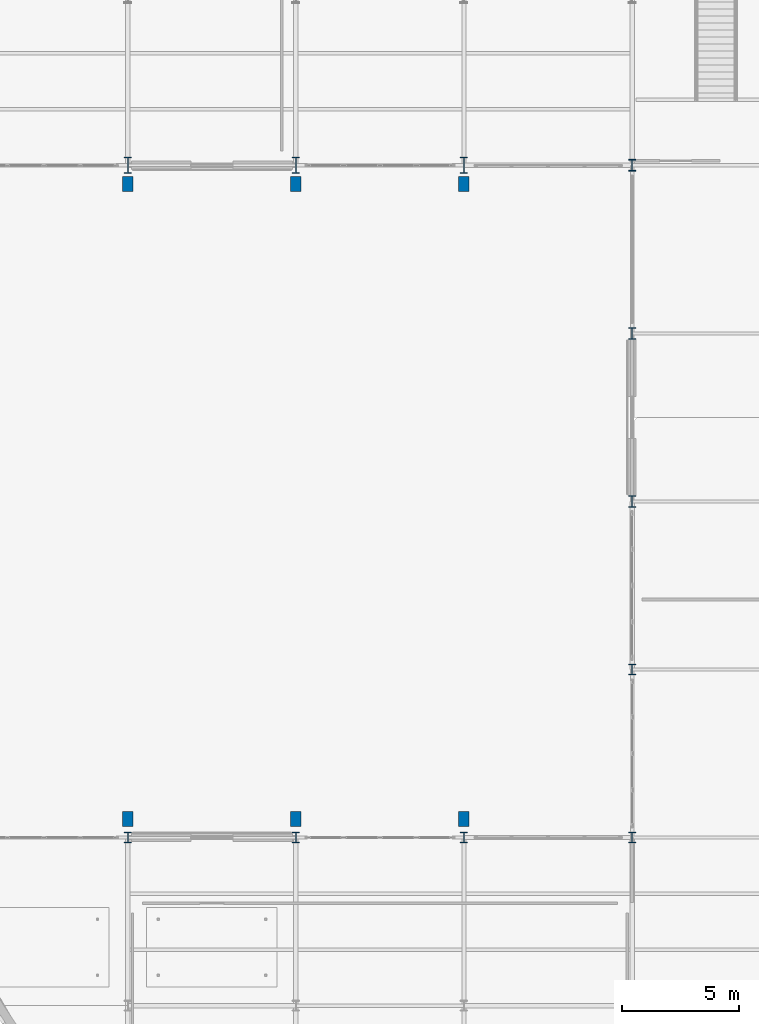
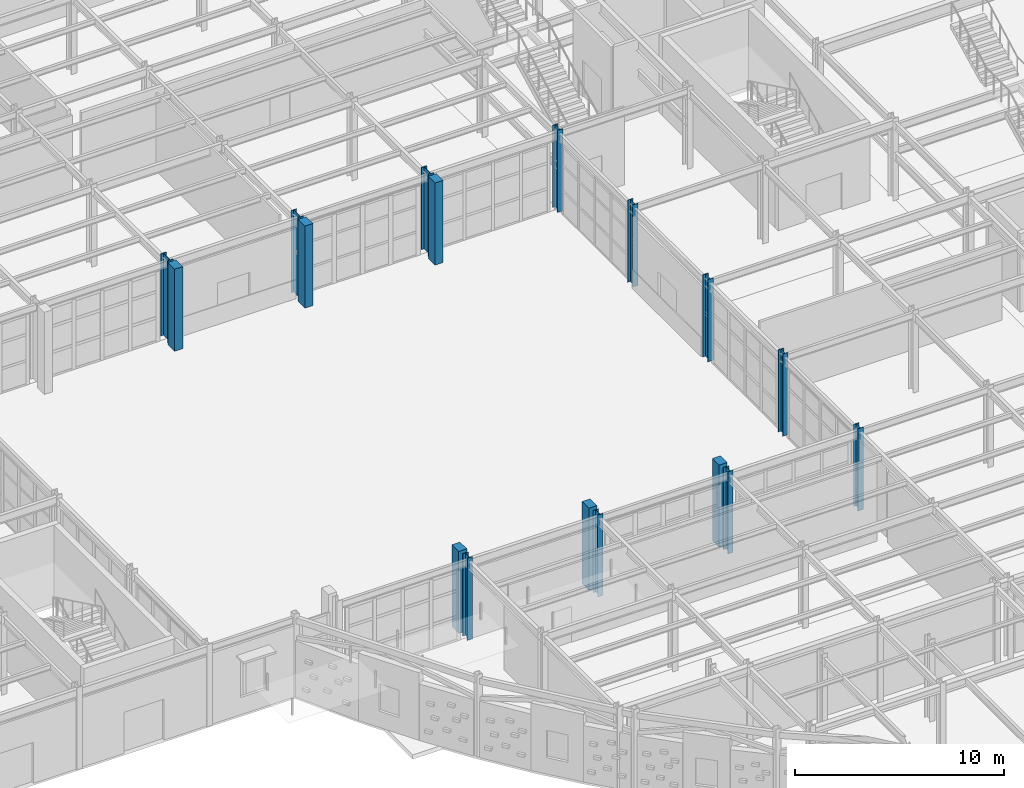
# One storey, part 3 of 83: 17 columns.
"""IFC4 building model written with IfcOpenShell, lengths in metres."""

from ifc_helpers import new_model, si_unit, direction, frame, origin, origin_2d, place, context, subcontext, project, spatial, rectangle, i_section, extrude, material, material_profile, profile_set, type_object, element, save


model = new_model("IFC4")

# Units and contexts
model_context = context("Model", 3, precision=1e-05, world=origin(), true_north=direction((0.0, 1.0)))
body_context = subcontext(model_context, "Body", "Model", "MODEL_VIEW")
ifc_project = project(units=[si_unit("LENGTHUNIT", "METRE"), si_unit("AREAUNIT", "SQUARE_METRE"), si_unit("VOLUMEUNIT", "CUBIC_METRE"), si_unit("PLANEANGLEUNIT", "RADIAN"), si_unit("MASSUNIT", "GRAM", prefix="KILO")], contexts=[model_context])

# Site, building, storey
site_placement = place(None, origin())
site = spatial("IfcSite", under=ifc_project, at=site_placement, CompositionType="ELEMENT")
building_placement = place(site_placement, origin())
building = spatial("IfcBuilding", under=site, at=building_placement, Name="Solvadek Multi-Sports Hall", CompositionType="ELEMENT")
storey_placement = place(building_placement, origin())
storey = spatial("IfcBuildingStorey", under=building, at=storey_placement, Name="L00", CompositionType="ELEMENT", Elevation=0.0)

# Columns
ifc_material_1 = material(Name="Steel E350 (350 MPa)", Category="steel")
ifc_material_profile_1 = material_profile(ifc_material_1, i_section(OverallWidth=0.300048828125, OverallDepth=0.449951171875, WebThickness=0.013916015625, FlangeThickness=0.02587890625, at=origin_2d()), Name="WPB 450")
ifc_profile_set_1 = profile_set([ifc_material_profile_1], Name="Steel E350 (350 MPa)")
column_type_1 = type_object("IfcColumnType", Name="STR-COL-WPB450", PredefinedType="COLUMN", material=ifc_profile_set_1)
for number, where, z_axis, x_axis, name in (
    (1, (36.0, 20.39990234375, 0.0), (0.0, 0.0, 1.0), (1.0, 0.0, 0.0), "L00 Column C-06 #68"),
    (2, (43.199951171875, 20.39990234375, 0.0), (0.0, 0.0, 1.0), (1.0, 0.0, 0.0), "L00 Column C-06 #84"),
    (3, (50.39990234375, 20.39990234375, 0.0), (0.0, 0.0, 1.0), (1.0, 0.0, 0.0), "L00 Column C-06 #100"),
    (4, (57.60009765625, 20.39990234375, 0.0), (0.0, 0.0, 1.0), (1.0, 0.0, 0.0), "L00 Column C-06 #116"),
    (5, (57.60009765625, 27.60009765625, 0.0), (0.0, 0.0, 1.0), (1.0, 0.0, 0.0), "L00 Column C-06 #117"),
):
    element("IfcColumn", number, at=place(storey_placement, frame(where, z_axis=z_axis, x_axis=x_axis)), inside=storey, type_object=column_type_1, Name=name, PredefinedType="COLUMN", context=body_context, shape_type="SweptSolid", body=[
        extrude(i_section(OverallWidth=0.300048828125, OverallDepth=0.449951171875, WebThickness=0.013916015625, FlangeThickness=0.02587890625, at=origin_2d()), origin(), (0.0, 0.0, 1.0), 4.800048828125),
    ])
ifc_material_profile_2 = material_profile(ifc_material_1, i_section(OverallWidth=0.300048828125, OverallDepth=0.5, WebThickness=0.014404296875, FlangeThickness=0.028076171875, at=origin_2d()), Name="WPB 500")
ifc_profile_set_2 = profile_set([ifc_material_profile_2], Name="Steel E350 (350 MPa)")
column_type_2 = type_object("IfcColumnType", Name="STR-COL-WPB500", PredefinedType="COLUMN", material=ifc_profile_set_2)
for number, where, z_axis, x_axis, name in (
    (6, (57.60009765625, 34.800048828125, 0.0), (0.0, 0.0, 1.0), (1.0, 0.0, 0.0), "L00 Column C-05 #118"),
    (7, (57.60009765625, 42.0, 0.0), (0.0, 0.0, 1.0), (1.0, 0.0, 0.0), "L00 Column C-05 #119"),
    (8, (57.60009765625, 49.199951171875, 0.0), (0.0, 0.0, 1.0), (1.0, 0.0, 0.0), "L00 Column C-05 #120"),
):
    element("IfcColumn", number, at=place(storey_placement, frame(where, z_axis=z_axis, x_axis=x_axis)), inside=storey, type_object=column_type_2, Name=name, PredefinedType="COLUMN", context=body_context, shape_type="SweptSolid", body=[
        extrude(i_section(OverallWidth=0.300048828125, OverallDepth=0.5, WebThickness=0.014404296875, FlangeThickness=0.028076171875, at=origin_2d()), origin(), (0.0, 0.0, 1.0), 4.800048828125),
    ])
ifc_material_profile_3 = material_profile(ifc_material_1, i_section(OverallWidth=0.300048828125, OverallDepth=0.699951171875, WebThickness=0.01708984375, FlangeThickness=0.031982421875, at=origin_2d()), Name="WPB 700")
ifc_profile_set_3 = profile_set([ifc_material_profile_3], Name="Steel E350 (350 MPa)")
column_type_3 = type_object("IfcColumnType", Name="STR-COL-WPB700", PredefinedType="COLUMN", material=ifc_profile_set_3)
for number, where, z_axis, x_axis, name in (
    (9, (36.0, 49.199951171875, 0.0), (0.0, 0.0, 1.0), (1.0, 0.0, 0.0), "L00 Column C-02 #72"),
    (10, (43.199951171875, 49.199951171875, 0.0), (0.0, 0.0, 1.0), (1.0, 0.0, 0.0), "L00 Column C-02 #88"),
    (11, (50.39990234375, 49.199951171875, 0.0), (0.0, 0.0, 1.0), (1.0, 0.0, 0.0), "L00 Column C-02 #104"),
):
    element("IfcColumn", number, at=place(storey_placement, frame(where, z_axis=z_axis, x_axis=x_axis)), inside=storey, type_object=column_type_3, Name=name, PredefinedType="COLUMN", context=body_context, shape_type="SweptSolid", body=[
        extrude(i_section(OverallWidth=0.300048828125, OverallDepth=0.699951171875, WebThickness=0.01708984375, FlangeThickness=0.031982421875, at=origin_2d()), origin(), (0.0, 0.0, 1.0), 4.800048828125),
    ])
ifc_material_2 = material(Name="Precast concrete M40", Category="concrete")
ifc_material_profile_4 = material_profile(ifc_material_2, rectangle(XDim=0.449951171875, YDim=0.64990234375, at=origin_2d()), Name="RC PILASTER 650x450")
ifc_profile_set_4 = profile_set([ifc_material_profile_4], Name="Precast concrete M40")
column_type_4 = type_object("IfcColumnType", Name="STR-PIL-650X450", PredefinedType="PILASTER", material=ifc_profile_set_4)
for number, where, z_axis, x_axis, name in (
    (12, (36.0, 21.199951171875, 0.0), (0.0, 0.0, 1.0), (1.0, 0.0, 0.0), "L00 Column CP-01 #325"),
    (13, (36.0, 48.39990234375, 0.0), (0.0, 0.0, 1.0), (1.0, 0.0, 0.0), "L00 Column CP-01 #326"),
    (14, (43.199951171875, 21.199951171875, 0.0), (0.0, 0.0, 1.0), (1.0, 0.0, 0.0), "L00 Column CP-01 #327"),
    (15, (43.199951171875, 48.39990234375, 0.0), (0.0, 0.0, 1.0), (1.0, 0.0, 0.0), "L00 Column CP-01 #328"),
    (16, (50.39990234375, 21.199951171875, 0.0), (0.0, 0.0, 1.0), (1.0, 0.0, 0.0), "L00 Column CP-01 #329"),
    (17, (50.39990234375, 48.39990234375, 0.0), (0.0, 0.0, 1.0), (1.0, 0.0, 0.0), "L00 Column CP-01 #330"),
):
    element("IfcColumn", number, at=place(storey_placement, frame(where, z_axis=z_axis, x_axis=x_axis)), inside=storey, type_object=column_type_4, Name=name, PredefinedType="PILASTER", context=body_context, shape_type="SweptSolid", body=[
        extrude(rectangle(XDim=0.449951171875, YDim=0.64990234375, at=origin_2d()), origin(), (0.0, 0.0, 1.0), 4.800048828125),
    ])

save(model, "model.ifc")
